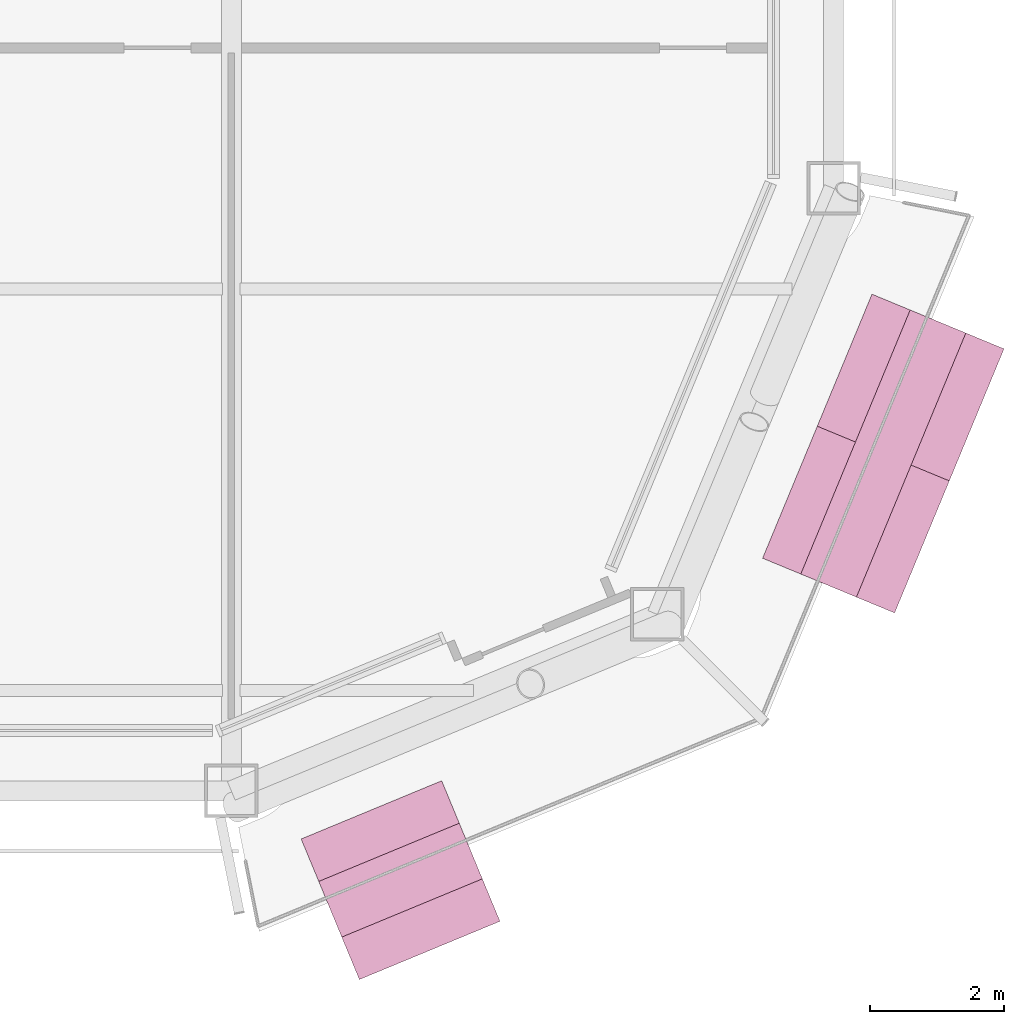
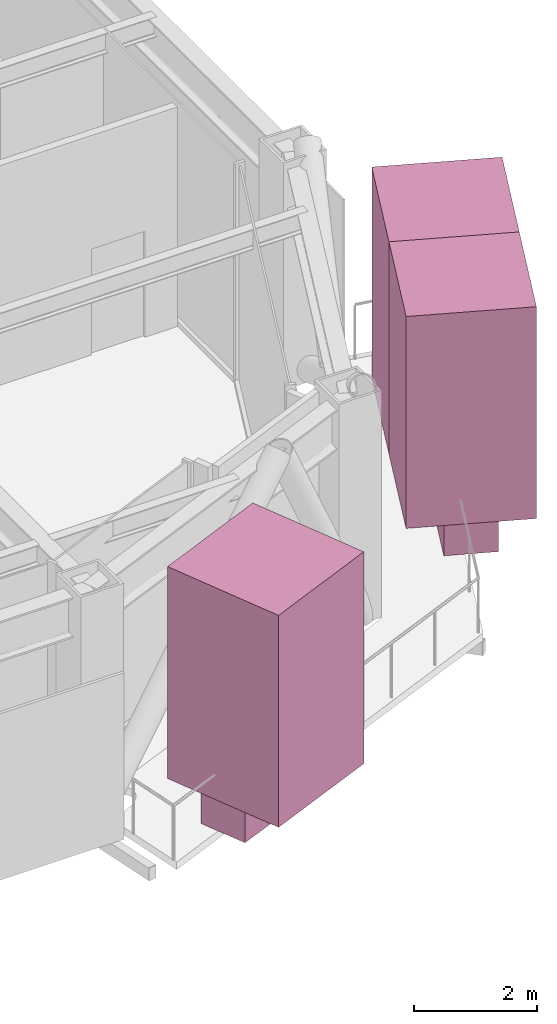
# One storey, part 22 of 22: 5 furnishings.
"""IFC4 building model written with IfcOpenShell, lengths in metres."""

import ifcopenshell
import ifcopenshell.guid

model = None  # the IFC model being written
_history = None  # IfcOwnerHistory: only IFC2X3 demands one
_inside = {}  # id of a spatial element -> (the spatial element, [elements in it])
_under = {}  # id of a project, library or spatial element -> (it, [spatial elements below it])
_declared = {}  # id of a project -> (the project, [libraries it declares])
_typed = {}  # id of a type object -> (the type object, [elements of that type])
_made_of = {}  # id of a material, layer set ... -> (it, [elements and type objects made of it])


def new_model(schema):
    """Start an empty IFC model of exactly this schema.

    Asked for "IFC4X3", IfcOpenShell would pick the latest addendum, in which some entities
    have other attributes; the version numbers below select the first issue.
    IFC2X3 requires an IfcOwnerHistory on every rooted entity: one is made here for all.
    """
    global model, _history
    if schema == "IFC4X3":
        model = ifcopenshell.file(schema_version=(4, 3, 0, 0))
    else:
        model = ifcopenshell.file(schema=schema)
    _inside.clear()
    _under.clear()
    _declared.clear()
    _typed.clear()
    _made_of.clear()
    _history = None
    if model.schema == "IFC2X3":
        org = make("IfcOrganization", Name="unknown")
        user = make(
            "IfcPersonAndOrganization",
            ThePerson=make("IfcPerson", FamilyName="unknown"),
            TheOrganization=org,
        )
        app = make(
            "IfcApplication",
            ApplicationDeveloper=org,
            Version="unknown",
            ApplicationFullName="unknown",
            ApplicationIdentifier="unknown",
        )
        _history = make(
            "IfcOwnerHistory",
            OwningUser=user,
            OwningApplication=app,
            ChangeAction="ADDED",
            CreationDate=0,
        )
    return model


def make(cls, **values):
    """One entity of the class cls with the attributes given. An attribute that is None is left unset."""
    return model.create_entity(
        cls, **{name: value for name, value in values.items() if value is not None}
    )


def rooted(cls, **values):
    """An entity with a GlobalId (a new one), such as an element, a storey or a relation."""
    return make(cls, GlobalId=ifcopenshell.guid.new(), OwnerHistory=_history, **values)


def si_unit(unit_type, name, prefix=None):
    """IfcSIUnit, for example si_unit("LENGTHUNIT", "METRE", prefix="MILLI")."""
    return make("IfcSIUnit", UnitType=unit_type, Prefix=prefix, Name=name)


def assignment(units):
    """IfcUnitAssignment: the units of a project."""
    return None if units is None else make("IfcUnitAssignment", Units=units)


def point(xyz):
    """IfcCartesianPoint."""
    return None if xyz is None else make("IfcCartesianPoint", Coordinates=xyz)


def direction(xyz):
    """IfcDirection."""
    return None if xyz is None else make("IfcDirection", DirectionRatios=xyz)


def frame(location, z_axis=None, x_axis=None):
    """IfcAxis2Placement3D, a coordinate frame: its origin and axes. An axis left out is left unset."""
    return make(
        "IfcAxis2Placement3D",
        Location=point(location),
        Axis=direction(z_axis),
        RefDirection=direction(x_axis),
    )


def frame_2d(location, x_axis=None):
    """IfcAxis2Placement2D, a coordinate frame in the plane: its origin and x axis."""
    return make(
        "IfcAxis2Placement2D", Location=point(location), RefDirection=direction(x_axis)
    )


def origin():
    """The frame at (0, 0, 0) with its axes left unset."""
    return frame((0.0, 0.0, 0.0))


def origin_2d():
    """The frame at (0, 0) in the plane with its x axis left unset."""
    return frame_2d((0.0, 0.0))


def place(relative_to, where):
    """IfcLocalPlacement: puts the frame where relative to a parent placement (None: the world)."""
    return make(
        "IfcLocalPlacement", PlacementRelTo=relative_to, RelativePlacement=where
    )


def context(
    kind, dimensions, precision=None, world=None, true_north=None, identifier=None
):
    """IfcGeometricRepresentationContext, for example the 3D "Model" context."""
    return make(
        "IfcGeometricRepresentationContext",
        ContextIdentifier=identifier,
        ContextType=kind,
        CoordinateSpaceDimension=dimensions,
        Precision=precision,
        WorldCoordinateSystem=world,
        TrueNorth=true_north,
    )


def subcontext(parent, identifier, kind, view, scale=None):
    """IfcGeometricRepresentationSubContext, for example "Body" below "Model"."""
    return make(
        "IfcGeometricRepresentationSubContext",
        ContextIdentifier=identifier,
        ContextType=kind,
        ParentContext=parent,
        TargetScale=scale,
        TargetView=view,
    )


def project(units=None, contexts=None):
    """IfcProject with its units and contexts."""
    return rooted(
        "IfcProject",
        Name="project",
        RepresentationContexts=contexts,
        UnitsInContext=assignment(units),
    )


def spatial(cls, under=None, at=None, **own):
    """A site, building, storey or space (cls), placed at a placement, below another one or the project."""
    s = rooted(cls, ObjectPlacement=at, **own)
    if under is not None:
        _under.setdefault(under.id(), (under, []))[1].append(s)
    return s


def profile(cls, at=None, kind="AREA", **sizes):
    """A parametric profile (cls). Its sizes go by their IFC names, for example OverallWidth=200.0."""
    return make(cls, ProfileType=kind, Position=at, **sizes)


def rectangle(**sizes):
    """IfcRectangleProfileDef."""
    return profile("IfcRectangleProfileDef", **sizes)


def extrude(swept, where, along, depth):
    """IfcExtrudedAreaSolid: the profile swept, set in the frame where, extruded along a direction by depth."""
    return make(
        "IfcExtrudedAreaSolid",
        SweptArea=swept,
        Position=where,
        ExtrudedDirection=direction(along),
        Depth=depth,
    )


def shape(context_of_items, identifier, shape_type, items):
    """IfcShapeRepresentation: the items that make up one representation, for example the "Body"."""
    return make(
        "IfcShapeRepresentation",
        ContextOfItems=context_of_items,
        RepresentationIdentifier=identifier,
        RepresentationType=shape_type,
        Items=items,
    )


def material(Name=None, Category=None):
    """IfcMaterial."""
    return make("IfcMaterial", Name=Name, Category=Category)


def made_of(thing, what):
    """Note that an element or type object is made of a material, layer set ...; save() writes the relation."""
    if what is not None:
        _made_of.setdefault(what.id(), (what, []))[1].append(thing)
    return thing


def type_object(cls, material=None, **own):
    """A type object (cls), such as IfcWallType, which elements share."""
    return made_of(rooted(cls, **own), material)


def element(
    cls,
    number,
    at=None,
    inside=None,
    cuts=None,
    type_object=None,
    material=None,
    context=None,
    identifier="Body",
    shape_type=None,
    held_by="IfcProductDefinitionShape",
    body=None,
    shapes=None,
    **own,
):
    """One element of the class cls, such as IfcWall. Its Tag is "e" and its number.

    at: its placement. inside: the storey or other place that contains it. cuts: it is an
    opening in that element (IfcRelVoidsElement). A single representation is given by context,
    identifier, shape_type and body (its items); several are given by shapes. held_by: the class
    of the entity that holds the representations. save() writes the other relations.
    """
    e = rooted(cls, Tag="e%d" % number, ObjectPlacement=at, **own)
    if body is not None:
        shapes = [shape(context, identifier, shape_type, body)]
    if shapes is not None:
        e.Representation = make(held_by, Representations=shapes)
    if inside is not None:
        _inside.setdefault(inside.id(), (inside, []))[1].append(e)
    if cuts is not None:
        rooted(
            "IfcRelVoidsElement", RelatingBuildingElement=cuts, RelatedOpeningElement=e
        )
    if type_object is not None:
        _typed.setdefault(type_object.id(), (type_object, []))[1].append(e)
    return made_of(e, material)


def aggregate(whole, parts):
    """IfcRelAggregates: a whole, such as a stair, and the parts it consists of."""
    return rooted("IfcRelAggregates", RelatingObject=whole, RelatedObjects=parts)


def save(model, path):
    """Write the relations noted so far, then the file.

    IfcRelAggregates (storeys below a building ...), IfcRelContainedInSpatialStructure (elements
    in a storey), IfcRelDefinesByType, IfcRelAssociatesMaterial and IfcRelDeclares: one each for
    every whole, place, type object, material and project.
    """
    for whole, parts in _under.values():
        aggregate(whole, parts)
    for where, things in _inside.values():
        rooted(
            "IfcRelContainedInSpatialStructure",
            RelatedElements=things,
            RelatingStructure=where,
        )
    for kind, things in _typed.values():
        rooted("IfcRelDefinesByType", RelatedObjects=things, RelatingType=kind)
    for what, things in _made_of.values():
        rooted("IfcRelAssociatesMaterial", RelatedObjects=things, RelatingMaterial=what)
    for by, libraries in _declared.values():
        rooted("IfcRelDeclares", RelatingContext=by, RelatedDefinitions=libraries)
    model.write(path)


model = new_model("IFC4")

# Units and contexts
model_context = context("Model", 3, precision=1e-05, world=origin(), true_north=direction((0.0, 1.0)))
body_context = subcontext(model_context, "Body", "Model", "MODEL_VIEW")
ifc_project = project(units=[si_unit("LENGTHUNIT", "METRE"), si_unit("AREAUNIT", "SQUARE_METRE"), si_unit("VOLUMEUNIT", "CUBIC_METRE"), si_unit("PLANEANGLEUNIT", "RADIAN"), si_unit("MASSUNIT", "GRAM", prefix="KILO")], contexts=[model_context])

# Site, building, storey
site_placement = place(None, origin())
site = spatial("IfcSite", under=ifc_project, at=site_placement, CompositionType="ELEMENT")
building_placement = place(site_placement, origin())
building = spatial("IfcBuilding", under=site, at=building_placement, Name="Siwar Civic Tower", CompositionType="ELEMENT")
storey_placement = place(building_placement, frame((0.0, 0.0, 255.699951171875)))
storey = spatial("IfcBuildingStorey", under=building, at=storey_placement, Name="L55", CompositionType="ELEMENT", Elevation=255.699951171875)

# Furnishings
ifc_material_1 = material(Name="Planting soil and foliage")
furnishing_element_type_1 = type_object("IfcFurnishingElementType", Name="ENV-PLANTER", material=ifc_material_1)
furnishing_1_placement = place(storey_placement, frame((20.5283203125, -28.333984375, 0.0), z_axis=(0.0, 0.0, 1.0), x_axis=(0.923879532511, 0.382683432365, 0.0)))
element("IfcFurnishingElement", 1, at=furnishing_1_placement, inside=storey, type_object=furnishing_element_type_1, Name="PLANTER SE 1", context=body_context, shape_type="SweptSolid", body=[
    extrude(rectangle(XDim=2.273193359375, YDim=0.89990234375, at=origin_2d()), origin(), (0.0, 0.0, 1.0), 0.60009765625),
])
furnishing_2_placement = place(storey_placement, frame((27.740966796875, -21.960205078125, 0.0), z_axis=(0.0, 0.0, 1.0), x_axis=(0.382683432365, 0.923879532511, 0.0)))
element("IfcFurnishingElement", 2, at=furnishing_2_placement, inside=storey, type_object=furnishing_element_type_1, Name="PLANTER SE 2", context=body_context, shape_type="SweptSolid", body=[
    extrude(rectangle(XDim=4.270751953125, YDim=0.89990234375, at=origin_2d()), origin(), (0.0, 0.0, 1.0), 0.60009765625),
])
ifc_material_2 = material(Name="Planting soil and foliage")
furnishing_element_type_2 = type_object("IfcFurnishingElementType", Name="ENV-TREE", material=ifc_material_2)
furnishing_3_placement = place(storey_placement, frame((20.5283203125, -28.333984375, 0.60009765625), z_axis=(0.0, 0.0, 1.0), x_axis=(0.923879532511, 0.382683432365, 0.0)))
element("IfcFurnishingElement", 3, at=furnishing_3_placement, inside=storey, type_object=furnishing_element_type_2, Name="PLANTER (TREE) SE 1.1", context=body_context, shape_type="SweptSolid", body=[
    extrude(rectangle(XDim=2.273193359375, YDim=2.273193359375, at=origin_2d()), origin(), (0.0, 0.0, 1.0), 4.199951171875),
])
for number, where, z_axis, x_axis, name in (
    (4, (27.332275390625, -22.94677734375, 0.60009765625), (0.0, 0.0, 1.0), (0.382683432365, 0.923879532511, 0.0), "PLANTER (TREE) SE 2.1"),
    (5, (28.1494140625, -20.973876953125, 0.60009765625), (0.0, 0.0, 1.0), (0.382683432365, 0.923879532511, 0.0), "PLANTER (TREE) SE 2.2"),
):
    element("IfcFurnishingElement", number, at=place(storey_placement, frame(where, z_axis=z_axis, x_axis=x_axis)), inside=storey, type_object=furnishing_element_type_2, Name=name, context=body_context, shape_type="SweptSolid", body=[
        extrude(rectangle(XDim=2.13525390625, YDim=2.13525390625, at=origin_2d()), origin(), (0.0, 0.0, 1.0), 4.199951171875),
    ])

save(model, "model.ifc")
